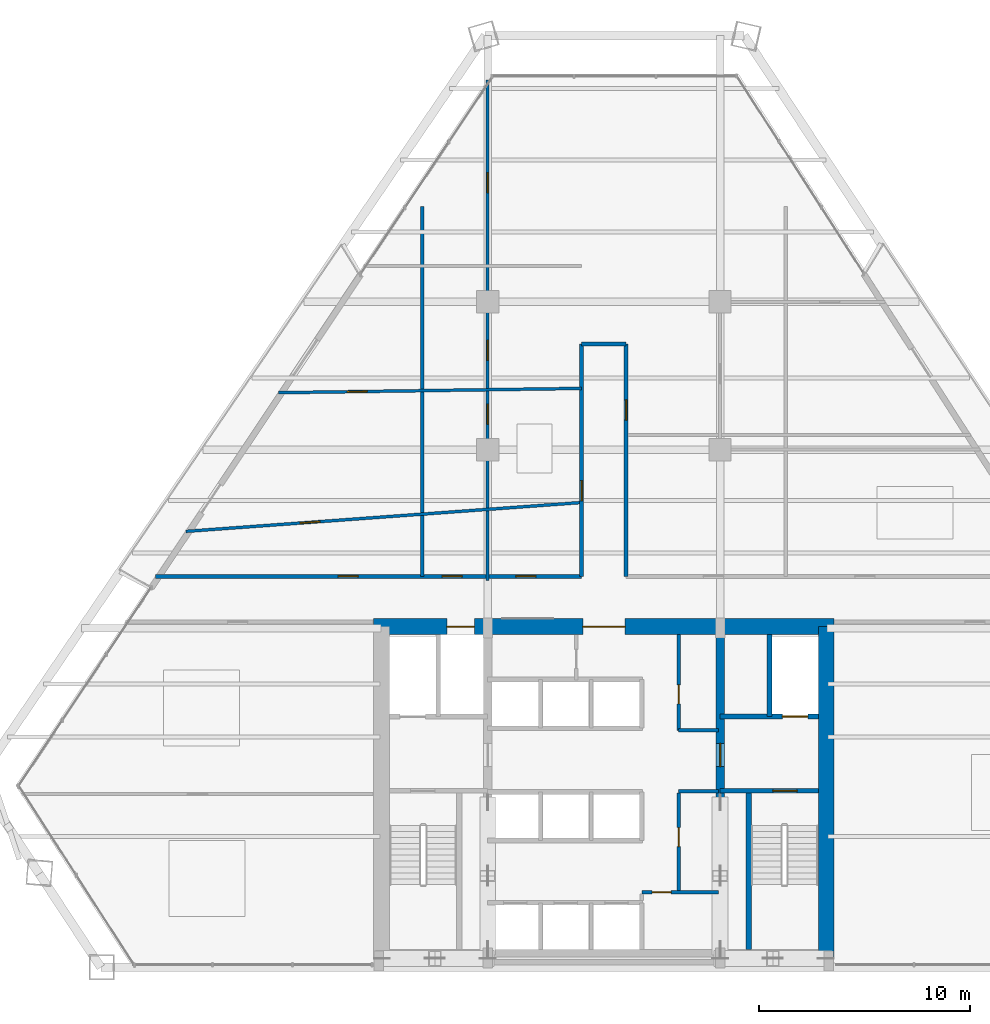
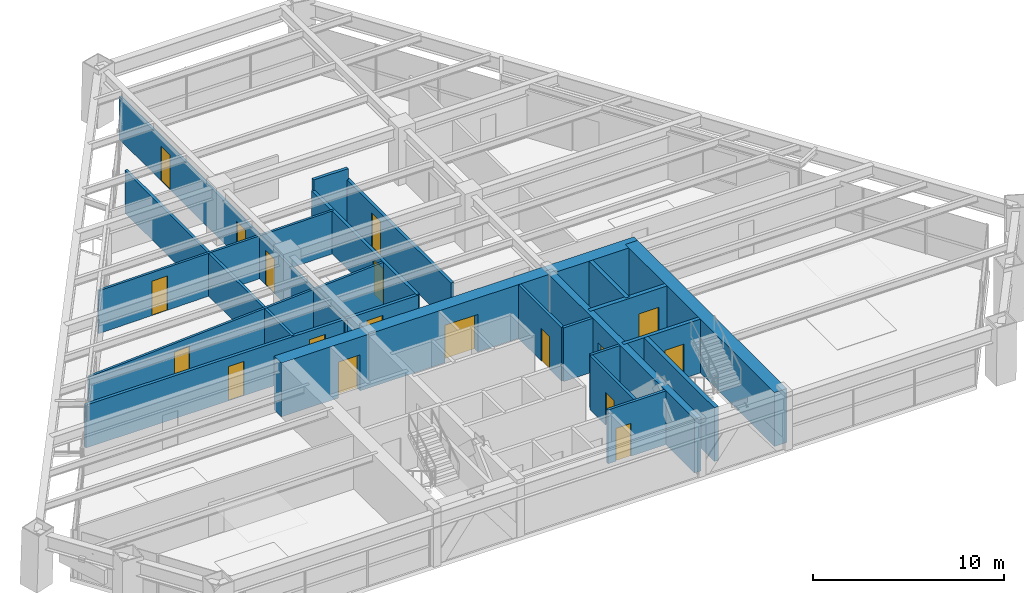
# One storey, part 11 of 14: 20 walls, 18 doors, 18 openings.
"""IFC4 building model written with IfcOpenShell, lengths in metres."""

from ifc_helpers import new_model, si_unit, direction, frame, frame_2d, origin, place, context, subcontext, project, spatial, rectangle, extrude, source, transform, mapped, material, layer, layer_set, type_object, type_shapes, element, fill, save


model = new_model("IFC4")

# Units and contexts
model_context = context("Model", 3, precision=1e-05, world=origin(), true_north=direction((0.0, 1.0)))
body_context = subcontext(model_context, "Body", "Model", "MODEL_VIEW")
ifc_project = project(units=[si_unit("LENGTHUNIT", "METRE"), si_unit("AREAUNIT", "SQUARE_METRE"), si_unit("VOLUMEUNIT", "CUBIC_METRE"), si_unit("PLANEANGLEUNIT", "RADIAN"), si_unit("MASSUNIT", "GRAM", prefix="KILO")], contexts=[model_context])

# Site, building, storey
site_placement = place(None, origin())
site = spatial("IfcSite", under=ifc_project, at=site_placement, CompositionType="ELEMENT")
building_placement = place(site_placement, origin())
building = spatial("IfcBuilding", under=site, at=building_placement, Name="Varnakhor Terracotta Tower", CompositionType="ELEMENT")
storey_placement = place(building_placement, frame((0.0, 0.0, 106.199951171875)))
storey = spatial("IfcBuildingStorey", under=building, at=storey_placement, Name="L26", CompositionType="ELEMENT", Elevation=106.199951171875)

# Wall, openings, doors
ifc_material_1 = material(Name="Concrete C60/75", Category="concrete")
ifc_layer_1 = layer(ifc_material_1, 0.75, Name="Concrete C60/75")
ifc_layer_set_1 = layer_set([ifc_layer_1], Name="Concrete C60/75")
wall_type_1 = type_object("IfcWallType", Name="WAL-CORE-750", PredefinedType="SHEAR", material=ifc_layer_set_1)
wall_1_placement = place(storey_placement, frame((-10.89990234375, 16.125, 0.0), z_axis=(0.0, 0.0, 1.0), x_axis=(1.0, 0.0, 0.0)))
wall_1 = element("IfcWall", 1, at=wall_1_placement, inside=storey, type_object=wall_type_1, Name="L26 North Core Shear Wall", PredefinedType="SHEAR", context=body_context, shape_type="SweptSolid", body=[
    extrude(rectangle(XDim=21.7998046875, YDim=0.75, at=frame_2d((10.89990234375, 0.0))), origin(), (0.0, 0.0, 1.0), 3.449951171875),
])
opening_1_placement = place(wall_1_placement, frame((3.469970703125, 0.0, 0.0)))
opening_1 = element("IfcOpeningElement", 2, at=opening_1_placement, cuts=wall_1, Name="Opening LD-03", PredefinedType="OPENING", context=body_context, shape_type="SweptSolid", body=[
    extrude(rectangle(XDim=1.300048828125, YDim=2.300048828125, at=frame_2d((0.64990234375, 1.14990234375))), frame((0.0, 0.385009765625, 0.0), z_axis=(0.0, -1.0, 0.0), x_axis=(1.0, 0.0, 0.0)), (0.0, 0.0, 1.0), 0.77001953125),
])
opening_2_placement = place(wall_1_placement, frame((9.89990234375, 0.0, 0.0)))
opening_2 = element("IfcOpeningElement", 3, at=opening_2_placement, cuts=wall_1, Name="Opening DR-32", PredefinedType="OPENING", context=body_context, shape_type="SweptSolid", body=[
    extrude(rectangle(XDim=2.0, YDim=2.39990234375, at=frame_2d((1.0, 1.199951171875))), frame((0.0, 0.385009765625, 0.0), z_axis=(0.0, -1.0, 0.0), x_axis=(1.0, 0.0, 0.0)), (0.0, 0.0, 1.0), 0.77001953125),
])
ifc_material_2 = material(Name="Heavy-Duty Goods Sliding Lift Landing Door", Category="steel")
door_type_1 = type_object("IfcDoorType", Name="LD-SRV-1300X2300", OperationType="NOTDEFINED", PredefinedType="DOOR", material=ifc_material_2)
shared_shape_1 = source(origin(), body_context, "Body", "SweptSolid", [
    extrude(rectangle(XDim=1.300048828125, YDim=2.300048828125, at=frame_2d((0.64990234375, 1.14990234375))), frame((0.0, 0.02490234375, 0.0), z_axis=(0.0, -1.0, 0.0), x_axis=(1.0, 0.0, 0.0)), (0.0, 0.0, 1.0), 0.050048828125),
])
type_shapes(door_type_1, [shared_shape_1])
door_1_placement = place(opening_1_placement, origin())
door_1 = element("IfcDoor", 4, at=door_1_placement, inside=storey, type_object=door_type_1, Name="L26 Service Lift SVL-1 Landing Door", OperationType="SLIDING_TO_RIGHT", OverallHeight=2.300048828125, OverallWidth=1.300048828125, PredefinedType="DOOR", context=body_context, shape_type="MappedRepresentation", body=[
    mapped(shared_shape_1, transform((0.0, 0.0, 0.0), scale=1.0)),
])
fill(opening_1, door_1)
ifc_material_3 = material(Name="Acoustic Double Assembly Fire Door", Category="wood")
door_type_2 = type_object("IfcDoorType", Name="DR-HALL-2000X2400", OperationType="NOTDEFINED", PredefinedType="DOOR", material=ifc_material_3)
shared_shape_2 = source(origin(), body_context, "Body", "SweptSolid", [
    extrude(rectangle(XDim=2.0, YDim=2.39990234375, at=frame_2d((1.0, 1.199951171875))), frame((0.0, 0.02490234375, 0.0), z_axis=(0.0, -1.0, 0.0), x_axis=(1.0, 0.0, 0.0)), (0.0, 0.0, 1.0), 0.050048828125),
])
type_shapes(door_type_2, [shared_shape_2])
door_2_placement = place(opening_2_placement, origin())
door_2 = element("IfcDoor", 5, at=door_2_placement, inside=storey, type_object=door_type_2, Name="L26 Core Main Lobby Double Door", OperationType="DOUBLE_DOOR_SINGLE_SWING", OverallHeight=2.39990234375, OverallWidth=2.0, PredefinedType="DOOR", context=body_context, shape_type="MappedRepresentation", body=[
    mapped(shared_shape_2, transform((0.0, 0.0, 0.0), scale=1.0)),
])
fill(opening_2, door_2)

# Wall
wall_2_placement = place(storey_placement, frame((10.52490234375, 0.47509765625, 0.0), z_axis=(0.0, 0.0, 1.0), x_axis=(0.0, 1.0, 0.0)))
element("IfcWall", 6, at=wall_2_placement, inside=storey, type_object=wall_type_1, Name="L26 East Core Shear Wall", PredefinedType="SHEAR", context=body_context, shape_type="SweptSolid", body=[
    extrude(rectangle(XDim=15.64990234375, YDim=0.75, at=frame_2d((7.824951171875, 0.0))), origin(), (0.0, 0.0, 1.0), 3.449951171875),
])

# Wall, opening, door
ifc_material_4 = material(Name="Concrete C50/60", Category="concrete")
ifc_layer_2 = layer(ifc_material_4, 0.39990234375, Name="Concrete C50/60")
ifc_layer_set_2 = layer_set([ifc_layer_2], Name="Concrete C50/60")
wall_type_2 = type_object("IfcWallType", Name="WAL-CORE-WEB-400", PredefinedType="SHEAR", material=ifc_layer_set_2)
wall_3_placement = place(storey_placement, frame((5.5, 0.47509765625, 0.0), z_axis=(0.0, 0.0, 1.0), x_axis=(0.0, 1.0, 0.0)))
wall_3 = element("IfcWall", 7, at=wall_3_placement, inside=storey, type_object=wall_type_2, Name="L26 East Core Web Shear Wall", PredefinedType="SHEAR", context=body_context, shape_type="SweptSolid", body=[
    extrude(rectangle(XDim=15.64990234375, YDim=0.39990234375, at=frame_2d((7.824951171875, 0.0))), origin(), (0.0, 0.0, 1.0), 3.449951171875),
])
opening_3_placement = place(wall_3_placement, frame((9.02490234375, 0.0, 0.0)))
opening_3 = element("IfcOpeningElement", 8, at=opening_3_placement, cuts=wall_3, Name="Opening DR-25", PredefinedType="OPENING", context=body_context, shape_type="SweptSolid", body=[
    extrude(rectangle(XDim=1.10009765625, YDim=2.199951171875, at=frame_2d((0.550048828125, 1.10009765625))), frame((0.0, 0.2099609375, 0.0), z_axis=(0.0, -1.0, 0.0), x_axis=(1.0, 0.0, 0.0)), (0.0, 0.0, 1.0), 0.419921875),
])
ifc_material_5 = material(Name="Firefighting Lobby Self-Closing Fire Door", Category="steel")
door_type_3 = type_object("IfcDoorType", Name="DR-FFL-1100X2200", OperationType="NOTDEFINED", PredefinedType="DOOR", material=ifc_material_5)
shared_shape_3 = source(origin(), body_context, "Body", "SweptSolid", [
    extrude(rectangle(XDim=1.10009765625, YDim=2.199951171875, at=frame_2d((0.550048828125, 1.10009765625))), frame((0.0, 0.02490234375, 0.0), z_axis=(0.0, -1.0, 0.0), x_axis=(1.0, 0.0, 0.0)), (0.0, 0.0, 1.0), 0.050048828125),
])
type_shapes(door_type_3, [shared_shape_3])
door_3_placement = place(opening_3_placement, origin())
door_3 = element("IfcDoor", 9, at=door_3_placement, inside=storey, type_object=door_type_3, Name="L26 East Firefighting Lobby Door", OperationType="SINGLE_SWING_RIGHT", OverallHeight=2.199951171875, OverallWidth=1.10009765625, PredefinedType="DOOR", context=body_context, shape_type="MappedRepresentation", body=[
    mapped(shared_shape_3, transform((0.0, 0.0, 0.0), scale=1.0)),
])
fill(opening_3, door_3)

# Wall, openings, doors
ifc_material_6 = material(Name="Fire-Rated Gypsum Stud Partition", Category="gypsum")
ifc_layer_3 = layer(ifc_material_6, 0.18505859375, Name="Fire-Rated Gypsum Stud Partition")
ifc_layer_set_3 = layer_set([ifc_layer_3], Name="Fire-Rated Gypsum Stud Partition")
wall_type_3 = type_object("IfcWallType", Name="WAL-CORR-185", PredefinedType="PARTITIONING", material=ifc_layer_set_3)
wall_4_placement = place(storey_placement, frame((-21.21240234375, 18.5, 0.0), z_axis=(0.0, 0.0, 1.0), x_axis=(1.0, 0.0, 0.0)))
wall_4 = element("IfcWall", 10, at=wall_4_placement, inside=storey, type_object=wall_type_3, Name="L26 Corridor North West Wall", PredefinedType="PARTITIONING", context=body_context, shape_type="SweptSolid", body=[
    extrude(rectangle(XDim=20.162353515625, YDim=0.18505859375, at=frame_2d((10.0810546875, 0.0))), origin(), (0.0, 0.0, 1.0), 2.7470703125),
])
opening_4_placement = place(wall_4_placement, frame((8.632080078125, 0.0, 0.0)))
opening_4 = element("IfcOpeningElement", 11, at=opening_4_placement, cuts=wall_4, Name="Opening DR-94", PredefinedType="OPENING", context=body_context, shape_type="SweptSolid", body=[
    extrude(rectangle(XDim=0.949951171875, YDim=2.199951171875, at=frame_2d((0.47509765625, 1.10009765625))), frame((0.0, 0.1025390625, 0.0), z_axis=(0.0, -1.0, 0.0), x_axis=(1.0, 0.0, 0.0)), (0.0, 0.0, 1.0), 0.205078125),
])
opening_5_placement = place(wall_4_placement, frame((13.555908203125, 0.0, 0.0)))
opening_5 = element("IfcOpeningElement", 12, at=opening_5_placement, cuts=wall_4, Name="Opening DR-94", PredefinedType="OPENING", context=body_context, shape_type="SweptSolid", body=[
    extrude(rectangle(XDim=0.949951171875, YDim=2.199951171875, at=frame_2d((0.47509765625, 1.10009765625))), frame((0.0, 0.1025390625, 0.0), z_axis=(0.0, -1.0, 0.0), x_axis=(1.0, 0.0, 0.0)), (0.0, 0.0, 1.0), 0.205078125),
])
opening_6_placement = place(wall_4_placement, frame((17.044677734375, 0.0, 0.0)))
opening_6 = element("IfcOpeningElement", 13, at=opening_6_placement, cuts=wall_4, Name="Opening DR-94", PredefinedType="OPENING", context=body_context, shape_type="SweptSolid", body=[
    extrude(rectangle(XDim=0.949951171875, YDim=2.199951171875, at=frame_2d((0.47509765625, 1.10009765625))), frame((0.0, 0.1025390625, 0.0), z_axis=(0.0, -1.0, 0.0), x_axis=(1.0, 0.0, 0.0)), (0.0, 0.0, 1.0), 0.205078125),
])
ifc_material_7 = material(Name="Acoustic Glazed-Vision Timber Office Door", Category="wood")
door_type_4 = type_object("IfcDoorType", Name="DR-OFF-950X2200", OperationType="NOTDEFINED", PredefinedType="DOOR", material=ifc_material_7)
shared_shape_4 = source(origin(), body_context, "Body", "SweptSolid", [
    extrude(rectangle(XDim=0.949951171875, YDim=2.199951171875, at=frame_2d((0.47509765625, 1.10009765625))), frame((0.0, 0.02490234375, 0.0), z_axis=(0.0, -1.0, 0.0), x_axis=(1.0, 0.0, 0.0)), (0.0, 0.0, 1.0), 0.050048828125),
])
type_shapes(door_type_4, [shared_shape_4])
door_4_placement = place(opening_4_placement, origin())
door_4 = element("IfcDoor", 14, at=door_4_placement, inside=storey, type_object=door_type_4, Name="L26 West Workplace Door", OperationType="SINGLE_SWING_LEFT", OverallHeight=2.199951171875, OverallWidth=0.949951171875, PredefinedType="DOOR", context=body_context, shape_type="MappedRepresentation", body=[
    mapped(shared_shape_4, transform((0.0, 0.0, 0.0), scale=1.0)),
])
fill(opening_4, door_4)
door_5_placement = place(opening_5_placement, origin())
door_5 = element("IfcDoor", 15, at=door_5_placement, inside=storey, type_object=door_type_4, Name="L26 Breakout Tea Room B6 Door", OperationType="SINGLE_SWING_RIGHT", OverallHeight=2.199951171875, OverallWidth=0.949951171875, PredefinedType="DOOR", context=body_context, shape_type="MappedRepresentation", body=[
    mapped(shared_shape_4, transform((0.0, 0.0, 0.0), scale=1.0)),
])
fill(opening_5, door_5)
door_6_placement = place(opening_6_placement, origin())
door_6 = element("IfcDoor", 16, at=door_6_placement, inside=storey, type_object=door_type_4, Name="L26 Admin Office B7 Door", OperationType="SINGLE_SWING_LEFT", OverallHeight=2.199951171875, OverallWidth=0.949951171875, PredefinedType="DOOR", context=body_context, shape_type="MappedRepresentation", body=[
    mapped(shared_shape_4, transform((0.0, 0.0, 0.0), scale=1.0)),
])
fill(opening_6, door_6)

# Wall, opening, door
wall_5_placement = place(storey_placement, frame((-1.050048828125, 18.5, 0.0), z_axis=(0.0, 0.0, 1.0), x_axis=(0.0, 1.0, 0.0)))
wall_5 = element("IfcWall", 17, at=wall_5_placement, inside=storey, type_object=wall_type_3, Name="L26 Spine West Wall", PredefinedType="PARTITIONING", context=body_context, shape_type="SweptSolid", body=[
    extrude(rectangle(XDim=11.0, YDim=0.18505859375, at=frame_2d((5.5, 0.0))), origin(), (0.0, 0.0, 1.0), 2.7470703125),
])
opening_7_placement = place(wall_5_placement, frame((3.580078125, 0.0, 0.0)))
opening_7 = element("IfcOpeningElement", 18, at=opening_7_placement, cuts=wall_5, Name="Opening DR-94", PredefinedType="OPENING", context=body_context, shape_type="SweptSolid", body=[
    extrude(rectangle(XDim=0.949951171875, YDim=2.199951171875, at=frame_2d((0.47509765625, 1.10009765625))), frame((0.0, 0.1025390625, 0.0), z_axis=(0.0, -1.0, 0.0), x_axis=(1.0, 0.0, 0.0)), (0.0, 0.0, 1.0), 0.205078125),
])
door_7_placement = place(opening_7_placement, origin())
door_7 = element("IfcDoor", 19, at=door_7_placement, inside=storey, type_object=door_type_4, Name="L26 Spine West Door", OperationType="SINGLE_SWING_LEFT", OverallHeight=2.199951171875, OverallWidth=0.949951171875, PredefinedType="DOOR", context=body_context, shape_type="MappedRepresentation", body=[
    mapped(shared_shape_4, transform((0.0, 0.0, 0.0), scale=1.0)),
])
fill(opening_7, door_7)

wall_6_placement = place(storey_placement, frame((1.050048828125, 18.5, 0.0), z_axis=(0.0, 0.0, 1.0), x_axis=(0.0, 1.0, 0.0)))
wall_6 = element("IfcWall", 20, at=wall_6_placement, inside=storey, type_object=wall_type_3, Name="L26 Spine East Wall", PredefinedType="PARTITIONING", context=body_context, shape_type="SweptSolid", body=[
    extrude(rectangle(XDim=11.0, YDim=0.18505859375, at=frame_2d((5.5, 0.0))), origin(), (0.0, 0.0, 1.0), 2.7470703125),
])
opening_8_placement = place(wall_6_placement, frame((7.402587890625, 0.0, 0.0)))
opening_8 = element("IfcOpeningElement", 21, at=opening_8_placement, cuts=wall_6, Name="Opening DR-94", PredefinedType="OPENING", context=body_context, shape_type="SweptSolid", body=[
    extrude(rectangle(XDim=0.949951171875, YDim=2.199951171875, at=frame_2d((0.47509765625, 1.10009765625))), frame((0.0, 0.1025390625, 0.0), z_axis=(0.0, -1.0, 0.0), x_axis=(1.0, 0.0, 0.0)), (0.0, 0.0, 1.0), 0.205078125),
])
door_8_placement = place(opening_8_placement, origin())
door_8 = element("IfcDoor", 22, at=door_8_placement, inside=storey, type_object=door_type_4, Name="L26 Spine East Door", OperationType="SINGLE_SWING_RIGHT", OverallHeight=2.199951171875, OverallWidth=0.949951171875, PredefinedType="DOOR", context=body_context, shape_type="MappedRepresentation", body=[
    mapped(shared_shape_4, transform((0.0, 0.0, 0.0), scale=1.0)),
])
fill(opening_8, door_8)

# Wall
wall_7_placement = place(storey_placement, frame((-1.050048828125, 29.5, 0.0), z_axis=(0.0, 0.0, 1.0), x_axis=(1.0, 0.0, 0.0)))
element("IfcWall", 23, at=wall_7_placement, inside=storey, type_object=wall_type_3, Name="L26 Spine North End Wall", PredefinedType="PARTITIONING", context=body_context, shape_type="SweptSolid", body=[
    extrude(rectangle(XDim=2.10009765625, YDim=0.18505859375, at=frame_2d((1.050048828125, 0.0))), origin(), (0.0, 0.0, 1.0), 3.442138671875),
])

# Wall, opening, door
ifc_material_8 = material(Name="Concrete C40/50", Category="concrete")
ifc_layer_4 = layer(ifc_material_8, 0.219970703125, Name="Concrete C40/50")
ifc_layer_set_4 = layer_set([ifc_layer_4], Name="Concrete C40/50")
wall_type_4 = type_object("IfcWallType", Name="WAL-FFLOBBY-220", PredefinedType="SOLIDWALL", material=ifc_layer_set_4)
wall_8_placement = place(storey_placement, frame((10.14990234375, 8.35009765625, 0.0), z_axis=(0.0, 0.0, 1.0), x_axis=(-1.0, 0.0, 0.0)))
wall_8 = element("IfcWall", 24, at=wall_8_placement, inside=storey, type_object=wall_type_4, Name="L26 East Firefighting Lobby Stair Wall", PredefinedType="SOLIDWALL", context=body_context, shape_type="SweptSolid", body=[
    extrude(rectangle(XDim=4.64990234375, YDim=0.219970703125, at=frame_2d((2.324951171875, 0.0))), origin(), (0.0, 0.0, 1.0), 3.449951171875),
])
opening_9_placement = place(wall_8_placement, frame((1.0, 0.0, 0.0)))
opening_9 = element("IfcOpeningElement", 25, at=opening_9_placement, cuts=wall_8, Name="Opening DR-34", PredefinedType="OPENING", context=body_context, shape_type="SweptSolid", body=[
    extrude(rectangle(XDim=1.14990234375, YDim=2.199951171875, at=frame_2d((0.574951171875, 1.10009765625))), frame((0.0, 0.1201171875, 0.0), z_axis=(0.0, -1.0, 0.0), x_axis=(1.0, 0.0, 0.0)), (0.0, 0.0, 1.0), 0.239990234375),
])
ifc_material_9 = material(Name="Self-Closing Smoke-Sealed Steel Fire Door", Category="steel")
door_type_5 = type_object("IfcDoorType", Name="DR-STAIR-1150X2200", OperationType="NOTDEFINED", PredefinedType="DOOR", material=ifc_material_9)
shared_shape_5 = source(origin(), body_context, "Body", "SweptSolid", [
    extrude(rectangle(XDim=1.14990234375, YDim=2.199951171875, at=frame_2d((0.574951171875, 1.10009765625))), frame((0.0, 0.02490234375, 0.0), z_axis=(0.0, -1.0, 0.0), x_axis=(1.0, 0.0, 0.0)), (0.0, 0.0, 1.0), 0.050048828125),
])
type_shapes(door_type_5, [shared_shape_5])
door_9_placement = place(opening_9_placement, origin())
door_9 = element("IfcDoor", 26, at=door_9_placement, inside=storey, type_object=door_type_5, Name="L26 Exit Stair ST-2 Fire Door", OperationType="SINGLE_SWING_LEFT", OverallHeight=2.199951171875, OverallWidth=1.14990234375, PredefinedType="DOOR", context=body_context, shape_type="MappedRepresentation", body=[
    mapped(shared_shape_5, transform((0.0, 0.0, 0.0), scale=1.0)),
])
fill(opening_9, door_9)

# Wall, openings, doors
ifc_material_10 = material(Name="Acoustic Metal-Stud Partition", Category="gypsum")
ifc_layer_5 = layer(ifc_material_10, 0.139892578125, Name="Acoustic Metal-Stud Partition")
ifc_layer_set_5 = layer_set([ifc_layer_5], Name="Acoustic Metal-Stud Partition")
wall_type_5 = type_object("IfcWallType", Name="WAL-PART-140", PredefinedType="PARTITIONING", material=ifc_layer_set_5)
wall_9_placement = place(storey_placement, frame((-5.5, 18.300048828125, 0.0), z_axis=(0.0, 0.0, 1.0), x_axis=(0.0, 1.0, 0.0)))
wall_9 = element("IfcWall", 27, at=wall_9_placement, inside=storey, type_object=wall_type_5, Name="L26 West Full Column Wall", PredefinedType="PARTITIONING", context=body_context, shape_type="SweptSolid", body=[
    extrude(rectangle(XDim=23.707763671875, YDim=0.139892578125, at=frame_2d((11.85400390625, 0.0))), origin(), (0.0, 0.0, 1.0), 2.7470703125),
])
opening_10_placement = place(wall_9_placement, frame((7.406494140625, 0.0, 0.0)))
opening_10 = element("IfcOpeningElement", 28, at=opening_10_placement, cuts=wall_9, Name="Opening DR-94", PredefinedType="OPENING", context=body_context, shape_type="SweptSolid", body=[
    extrude(rectangle(XDim=0.949951171875, YDim=2.199951171875, at=frame_2d((0.47509765625, 1.10009765625))), frame((0.0, 0.080078125, 0.0), z_axis=(0.0, -1.0, 0.0), x_axis=(1.0, 0.0, 0.0)), (0.0, 0.0, 1.0), 0.159912109375),
])
opening_11_placement = place(wall_9_placement, frame((10.4287109375, 0.0, 0.0)))
opening_11 = element("IfcOpeningElement", 29, at=opening_11_placement, cuts=wall_9, Name="Opening DR-94", PredefinedType="OPENING", context=body_context, shape_type="SweptSolid", body=[
    extrude(rectangle(XDim=0.949951171875, YDim=2.199951171875, at=frame_2d((0.47509765625, 1.10009765625))), frame((0.0, 0.080078125, 0.0), z_axis=(0.0, -1.0, 0.0), x_axis=(1.0, 0.0, 0.0)), (0.0, 0.0, 1.0), 0.159912109375),
])
opening_12_placement = place(wall_9_placement, frame((18.36083984375, 0.0, 0.0)))
opening_12 = element("IfcOpeningElement", 30, at=opening_12_placement, cuts=wall_9, Name="Opening DR-94", PredefinedType="OPENING", context=body_context, shape_type="SweptSolid", body=[
    extrude(rectangle(XDim=0.949951171875, YDim=2.199951171875, at=frame_2d((0.47509765625, 1.10009765625))), frame((0.0, 0.080078125, 0.0), z_axis=(0.0, -1.0, 0.0), x_axis=(1.0, 0.0, 0.0)), (0.0, 0.0, 1.0), 0.159912109375),
])
door_10_placement = place(opening_10_placement, origin())
door_10 = element("IfcDoor", 31, at=door_10_placement, inside=storey, type_object=door_type_4, Name="L26 Research Studio E1 B11 Door", OperationType="SINGLE_SWING_RIGHT", OverallHeight=2.199951171875, OverallWidth=0.949951171875, PredefinedType="DOOR", context=body_context, shape_type="MappedRepresentation", body=[
    mapped(shared_shape_4, transform((0.0, 0.0, 0.0), scale=1.0)),
])
fill(opening_10, door_10)
door_11_placement = place(opening_11_placement, origin())
door_11 = element("IfcDoor", 32, at=door_11_placement, inside=storey, type_object=door_type_4, Name="L26 Executive Suite North B16 Door", OperationType="SINGLE_SWING_LEFT", OverallHeight=2.199951171875, OverallWidth=0.949951171875, PredefinedType="DOOR", context=body_context, shape_type="MappedRepresentation", body=[
    mapped(shared_shape_4, transform((0.0, 0.0, 0.0), scale=1.0)),
])
fill(opening_11, door_11)
door_12_placement = place(opening_12_placement, origin())
door_12 = element("IfcDoor", 33, at=door_12_placement, inside=storey, type_object=door_type_4, Name="L26 Quantitative Office W2 B18 Door", OperationType="SINGLE_SWING_RIGHT", OverallHeight=2.199951171875, OverallWidth=0.949951171875, PredefinedType="DOOR", context=body_context, shape_type="MappedRepresentation", body=[
    mapped(shared_shape_4, transform((0.0, 0.0, 0.0), scale=1.0)),
])
fill(opening_12, door_12)

# Wall, opening, door
wall_10_placement = place(storey_placement, frame((-19.78759765625, 20.6318359375, 0.0), z_axis=(0.0, 0.0, 1.0), x_axis=(0.99734485374, 0.072823366563, 0.0)))
wall_10 = element("IfcWall", 34, at=wall_10_placement, inside=storey, type_object=wall_type_5, Name="L26 West Wing Cut 1", PredefinedType="PARTITIONING", context=body_context, shape_type="SweptSolid", body=[
    extrude(rectangle(XDim=18.787353515625, YDim=0.139892578125, at=frame_2d((9.3935546875, 0.0))), origin(), (0.0, 0.0, 1.0), 2.7470703125),
])
opening_13_placement = place(wall_10_placement, frame((5.418701171875, 0.0, 0.0)))
opening_13 = element("IfcOpeningElement", 35, at=opening_13_placement, cuts=wall_10, Name="Opening DR-94", PredefinedType="OPENING", context=body_context, shape_type="SweptSolid", body=[
    extrude(rectangle(XDim=0.949951171875, YDim=2.199951171875, at=frame_2d((0.47509765625, 1.10009765625))), frame((0.0, 0.080078125, 0.0), z_axis=(0.0, -1.0, 0.0), x_axis=(1.0, 0.0, 0.0)), (0.0, 0.0, 1.0), 0.159912109375),
])
door_13_placement = place(opening_13_placement, origin())
door_13 = element("IfcDoor", 36, at=door_13_placement, inside=storey, type_object=door_type_4, Name="L26 Research Studio E1 Door", OperationType="SINGLE_SWING_LEFT", OverallHeight=2.199951171875, OverallWidth=0.949951171875, PredefinedType="DOOR", context=body_context, shape_type="MappedRepresentation", body=[
    mapped(shared_shape_4, transform((0.0, 0.0, 0.0), scale=1.0)),
])
fill(opening_13, door_13)

wall_11_placement = place(storey_placement, frame((-15.400390625, 27.195556640625, 0.0), z_axis=(0.0, 0.0, 1.0), x_axis=(0.999898629756, 0.014238336023, 0.0)))
wall_11 = element("IfcWall", 37, at=wall_11_placement, inside=storey, type_object=wall_type_5, Name="L26 West Wing Cut 2", PredefinedType="PARTITIONING", context=body_context, shape_type="SweptSolid", body=[
    extrude(rectangle(XDim=14.351806640625, YDim=0.139892578125, at=frame_2d((7.17578125, 0.0))), origin(), (0.0, 0.0, 1.0), 2.7470703125),
])
opening_14_placement = place(wall_11_placement, frame((3.244140625, 0.0, 0.0)))
opening_14 = element("IfcOpeningElement", 38, at=opening_14_placement, cuts=wall_11, Name="Opening DR-94", PredefinedType="OPENING", context=body_context, shape_type="SweptSolid", body=[
    extrude(rectangle(XDim=0.949951171875, YDim=2.199951171875, at=frame_2d((0.47509765625, 1.10009765625))), frame((0.0, 0.080078125, 0.0), z_axis=(0.0, -1.0, 0.0), x_axis=(1.0, 0.0, 0.0)), (0.0, 0.0, 1.0), 0.159912109375),
])
door_14_placement = place(opening_14_placement, origin())
door_14 = element("IfcDoor", 39, at=door_14_placement, inside=storey, type_object=door_type_4, Name="L26 Project Huddle Room Door", OperationType="SINGLE_SWING_LEFT", OverallHeight=2.199951171875, OverallWidth=0.949951171875, PredefinedType="DOOR", context=body_context, shape_type="MappedRepresentation", body=[
    mapped(shared_shape_4, transform((0.0, 0.0, 0.0), scale=1.0)),
])
fill(opening_14, door_14)

# Walls
ifc_layer_6 = layer(ifc_material_8, 0.219970703125, Name="Concrete C40/50")
ifc_layer_set_6 = layer_set([ifc_layer_6], Name="Concrete C40/50")
wall_type_6 = type_object("IfcWallType", Name="WAL-SHAFT-220", PredefinedType="SOLIDWALL", material=ifc_layer_set_6)
wall_12_placement = place(storey_placement, frame((7.840087890625, 11.8701171875, 0.0), z_axis=(0.0, 0.0, 1.0), x_axis=(0.0, 1.0, 0.0)))
element("IfcWall", 40, at=wall_12_placement, inside=storey, type_object=wall_type_6, Name="L26 Lift FFL-2 and Riser Divider Wall", PredefinedType="SOLIDWALL", context=body_context, shape_type="SweptSolid", body=[
    extrude(rectangle(XDim=3.8798828125, YDim=0.219970703125, at=frame_2d((1.93994140625, 0.0))), origin(), (0.0, 0.0, 1.0), 3.449951171875),
])
ifc_layer_7 = layer(ifc_material_8, 0.25, Name="Concrete C40/50")
ifc_layer_set_7 = layer_set([ifc_layer_7], Name="Concrete C40/50")
wall_type_7 = type_object("IfcWallType", Name="WAL-SHAFT-250", PredefinedType="SOLIDWALL", material=ifc_layer_set_7)
wall_13_placement = place(storey_placement, frame((6.85009765625, 0.85009765625, 0.0), z_axis=(0.0, 0.0, 1.0), x_axis=(0.0, 1.0, 0.0)))
element("IfcWall", 41, at=wall_13_placement, inside=storey, type_object=wall_type_7, Name="L26 Stair ST-2 Bearing Shaft Wall", PredefinedType="SOLIDWALL", context=body_context, shape_type="SweptSolid", body=[
    extrude(rectangle(XDim=7.5, YDim=0.25, at=frame_2d((3.75, 0.0))), origin(), (0.0, 0.0, 1.0), 3.449951171875),
])

# Wall, opening, door
wall_14_placement = place(storey_placement, frame((10.14990234375, 11.8701171875, 0.0), z_axis=(0.0, 0.0, 1.0), x_axis=(-1.0, 0.0, 0.0)))
wall_14 = element("IfcWall", 42, at=wall_14_placement, inside=storey, type_object=wall_type_7, Name="L26 Lift FFL-2 Shaft Front Wall", PredefinedType="SOLIDWALL", context=body_context, shape_type="SweptSolid", body=[
    extrude(rectangle(XDim=4.64990234375, YDim=0.25, at=frame_2d((2.324951171875, 0.0))), origin(), (0.0, 0.0, 1.0), 3.449951171875),
])
opening_15_placement = place(wall_14_placement, frame((0.5, 0.0, 0.0)))
opening_15 = element("IfcOpeningElement", 43, at=opening_15_placement, cuts=wall_14, Name="Opening LD-02", PredefinedType="OPENING", context=body_context, shape_type="SweptSolid", body=[
    extrude(rectangle(XDim=1.199951171875, YDim=2.25, at=frame_2d((0.60009765625, 1.125))), frame((0.0, 0.135009765625, 0.0), z_axis=(0.0, -1.0, 0.0), x_axis=(1.0, 0.0, 0.0)), (0.0, 0.0, 1.0), 0.27001953125),
])
ifc_material_11 = material(Name="Firefighting Stretcher Sliding Lift Landing Door", Category="steel")
door_type_6 = type_object("IfcDoorType", Name="LD-FFL-1200X2250", OperationType="NOTDEFINED", PredefinedType="DOOR", material=ifc_material_11)
shared_shape_6 = source(origin(), body_context, "Body", "SweptSolid", [
    extrude(rectangle(XDim=1.199951171875, YDim=2.25, at=frame_2d((0.60009765625, 1.125))), frame((0.0, 0.02490234375, 0.0), z_axis=(0.0, -1.0, 0.0), x_axis=(1.0, 0.0, 0.0)), (0.0, 0.0, 1.0), 0.050048828125),
])
type_shapes(door_type_6, [shared_shape_6])
door_15_placement = place(opening_15_placement, origin())
door_15 = element("IfcDoor", 44, at=door_15_placement, inside=storey, type_object=door_type_6, Name="L26 Firefighting Lift FFL-2 Landing Door", OperationType="SLIDING_TO_RIGHT", OverallHeight=2.25, OverallWidth=1.199951171875, PredefinedType="DOOR", context=body_context, shape_type="MappedRepresentation", body=[
    mapped(shared_shape_6, transform((0.0, 0.0, 0.0), scale=1.0)),
])
fill(opening_15, door_15)

ifc_material_12 = material(Name="Acoustic Fire-Rated Partition", Category="gypsum")
ifc_layer_8 = layer(ifc_material_12, 0.1650390625, Name="Acoustic Fire-Rated Partition")
ifc_layer_set_8 = layer_set([ifc_layer_8], Name="Acoustic Fire-Rated Partition")
wall_type_8 = type_object("IfcWallType", Name="WAL-TENANCY-165", PredefinedType="PARTITIONING", material=ifc_layer_set_8)
wall_15_placement = place(storey_placement, frame((3.5400390625, 3.632568359375, 0.0), z_axis=(0.0, 0.0, 1.0), x_axis=(0.0, 1.0, 0.0)))
wall_15 = element("IfcWall", 45, at=wall_15_placement, inside=storey, type_object=wall_type_8, Name="L26 Core Service Rated Wall", PredefinedType="PARTITIONING", context=body_context, shape_type="SweptSolid", body=[
    extrude(rectangle(XDim=4.625, YDim=0.1650390625, at=frame_2d((2.3125, 0.0))), origin(), (0.0, 0.0, 1.0), 3.442138671875),
])
opening_16_placement = place(wall_15_placement, frame((2.081298828125, 0.0, 0.0)))
opening_16 = element("IfcOpeningElement", 46, at=opening_16_placement, cuts=wall_15, Name="Opening DR-67", PredefinedType="OPENING", context=body_context, shape_type="SweptSolid", body=[
    extrude(rectangle(XDim=0.89990234375, YDim=2.10009765625, at=frame_2d((0.449951171875, 1.050048828125))), frame((0.0, 0.092529296875, 0.0), z_axis=(0.0, -1.0, 0.0), x_axis=(1.0, 0.0, 0.0)), (0.0, 0.0, 1.0), 0.18505859375),
])
ifc_material_13 = material(Name="Steel Service Riser Fire Door", Category="steel")
door_type_7 = type_object("IfcDoorType", Name="DR-RISER-900X2100", OperationType="NOTDEFINED", PredefinedType="DOOR", material=ifc_material_13)
shared_shape_7 = source(origin(), body_context, "Body", "SweptSolid", [
    extrude(rectangle(XDim=0.89990234375, YDim=2.10009765625, at=frame_2d((0.449951171875, 1.050048828125))), frame((0.0, 0.02490234375, 0.0), z_axis=(0.0, -1.0, 0.0), x_axis=(1.0, 0.0, 0.0)), (0.0, 0.0, 1.0), 0.050048828125),
])
type_shapes(door_type_7, [shared_shape_7])
door_16_placement = place(opening_16_placement, origin())
door_16 = element("IfcDoor", 47, at=door_16_placement, inside=storey, type_object=door_type_7, Name="L26 Core Accessible WC Door", OperationType="SINGLE_SWING_RIGHT", OverallHeight=2.10009765625, OverallWidth=0.89990234375, PredefinedType="DOOR", context=body_context, shape_type="MappedRepresentation", body=[
    mapped(shared_shape_7, transform((0.0, 0.0, 0.0), scale=1.0)),
])
fill(opening_16, door_16)

# Wall
wall_16_placement = place(storey_placement, frame((3.5400390625, 8.340087890625, 0.0), z_axis=(0.0, 0.0, 1.0), x_axis=(1.0, 0.0, 0.0)))
element("IfcWall", 48, at=wall_16_placement, inside=storey, type_object=wall_type_8, Name="L26 Accessible WC North Wall", PredefinedType="PARTITIONING", context=body_context, shape_type="SweptSolid", body=[
    extrude(rectangle(XDim=1.8798828125, YDim=0.1650390625, at=frame_2d((0.93994140625, 0.0))), origin(), (0.0, 0.0, 1.0), 3.442138671875),
])

# Wall, opening, door
wall_17_placement = place(storey_placement, frame((1.800048828125, 3.550048828125, 0.0), z_axis=(0.0, 0.0, 1.0), x_axis=(1.0, 0.0, 0.0)))
wall_17 = element("IfcWall", 49, at=wall_17_placement, inside=storey, type_object=wall_type_8, Name="L26 Core South Service Rated Wall", PredefinedType="PARTITIONING", context=body_context, shape_type="SweptSolid", body=[
    extrude(rectangle(XDim=3.619873046875, YDim=0.1650390625, at=frame_2d((1.81005859375, 0.0))), origin(), (0.0, 0.0, 1.0), 3.442138671875),
])
opening_17_placement = place(wall_17_placement, frame((0.47998046875, 0.0, 0.0)))
opening_17 = element("IfcOpeningElement", 50, at=opening_17_placement, cuts=wall_17, Name="Opening DR-67", PredefinedType="OPENING", context=body_context, shape_type="SweptSolid", body=[
    extrude(rectangle(XDim=0.89990234375, YDim=2.10009765625, at=frame_2d((0.449951171875, 1.050048828125))), frame((0.0, 0.092529296875, 0.0), z_axis=(0.0, -1.0, 0.0), x_axis=(1.0, 0.0, 0.0)), (0.0, 0.0, 1.0), 0.18505859375),
])
door_17_placement = place(opening_17_placement, origin())
door_17 = element("IfcDoor", 51, at=door_17_placement, inside=storey, type_object=door_type_7, Name="L26 Core IT Room Door", OperationType="SINGLE_SWING_LEFT", OverallHeight=2.10009765625, OverallWidth=0.89990234375, PredefinedType="DOOR", context=body_context, shape_type="MappedRepresentation", body=[
    mapped(shared_shape_7, transform((0.0, 0.0, 0.0), scale=1.0)),
])
fill(opening_17, door_17)

wall_18_placement = place(storey_placement, frame((3.5400390625, 11.219970703125, 0.0), z_axis=(0.0, 0.0, 1.0), x_axis=(0.0, 1.0, 0.0)))
wall_18 = element("IfcWall", 52, at=wall_18_placement, inside=storey, type_object=wall_type_8, Name="L26 Restroom Corridor Wall", PredefinedType="PARTITIONING", context=body_context, shape_type="SweptSolid", body=[
    extrude(rectangle(XDim=4.530029296875, YDim=0.1650390625, at=frame_2d((2.26513671875, 0.0))), origin(), (0.0, 0.0, 1.0), 3.442138671875),
])
opening_18_placement = place(wall_18_placement, frame((1.25, 0.0, 0.0)))
opening_18 = element("IfcOpeningElement", 53, at=opening_18_placement, cuts=wall_18, Name="Opening DR-67", PredefinedType="OPENING", context=body_context, shape_type="SweptSolid", body=[
    extrude(rectangle(XDim=0.89990234375, YDim=2.10009765625, at=frame_2d((0.449951171875, 1.050048828125))), frame((0.0, 0.092529296875, 0.0), z_axis=(0.0, -1.0, 0.0), x_axis=(1.0, 0.0, 0.0)), (0.0, 0.0, 1.0), 0.18505859375),
])
door_18_placement = place(opening_18_placement, origin())
door_18 = element("IfcDoor", 54, at=door_18_placement, inside=storey, type_object=door_type_7, Name="L26 Female WC Door", OperationType="SINGLE_SWING_RIGHT", OverallHeight=2.10009765625, OverallWidth=0.89990234375, PredefinedType="DOOR", context=body_context, shape_type="MappedRepresentation", body=[
    mapped(shared_shape_7, transform((0.0, 0.0, 0.0), scale=1.0)),
])
fill(opening_18, door_18)

# Walls
wall_19_placement = place(storey_placement, frame((3.5400390625, 11.219970703125, 0.0), z_axis=(0.0, 0.0, 1.0), x_axis=(1.0, 0.0, 0.0)))
element("IfcWall", 55, at=wall_19_placement, inside=storey, type_object=wall_type_8, Name="L26 Restroom South Wall", PredefinedType="PARTITIONING", context=body_context, shape_type="SweptSolid", body=[
    extrude(rectangle(XDim=1.8798828125, YDim=0.1650390625, at=frame_2d((0.93994140625, 0.0))), origin(), (0.0, 0.0, 1.0), 3.442138671875),
])
wall_20_placement = place(storey_placement, frame((-8.60009765625, 18.5, 0.0), z_axis=(0.0, 0.0, 1.0), x_axis=(0.0, 1.0, 0.0)))
element("IfcWall", 56, at=wall_20_placement, inside=storey, type_object=wall_type_8, Name="L26 West Cellular Line", PredefinedType="PARTITIONING", context=body_context, shape_type="SweptSolid", body=[
    extrude(rectangle(XDim=17.5, YDim=0.1650390625, at=frame_2d((8.75, 0.0))), origin(), (0.0, 0.0, 1.0), 2.7470703125),
])

save(model, "model.ifc")
